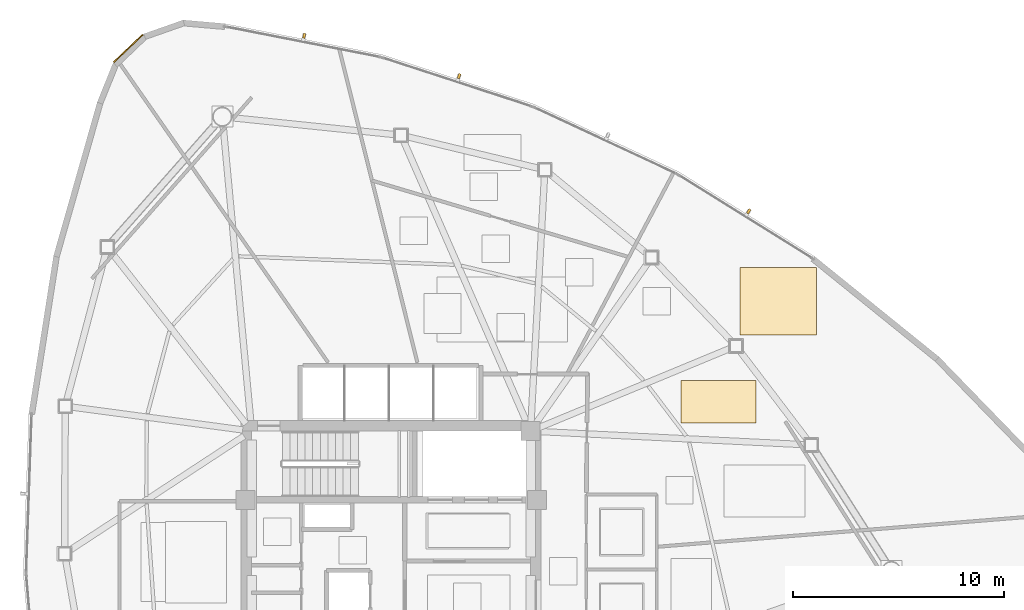
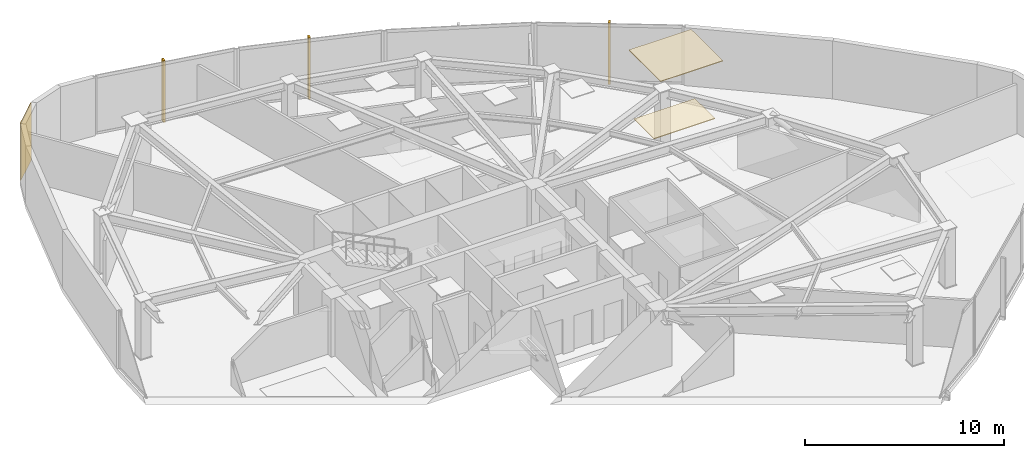
# One storey, part 17 of 17: 3 coverings, 3 shading devices.
"""IFC4 building model written with IfcOpenShell, lengths in metres."""

from ifc_helpers import new_model, si_unit, direction, frame, origin, origin_2d, place, context, subcontext, project, spatial, polyline, rectangle, outline, extrude, source, transform, mapped, material, layer, layer_set, type_object, type_shapes, element, save


model = new_model("IFC4")

# Units and contexts
model_context = context("Model", 3, precision=1e-05, world=origin(), true_north=direction((0.0, 1.0)))
body_context = subcontext(model_context, "Body", "Model", "MODEL_VIEW")
ifc_project = project(units=[si_unit("LENGTHUNIT", "METRE"), si_unit("AREAUNIT", "SQUARE_METRE"), si_unit("VOLUMEUNIT", "CUBIC_METRE"), si_unit("PLANEANGLEUNIT", "RADIAN"), si_unit("MASSUNIT", "GRAM", prefix="KILO")], contexts=[model_context])

# Site, building, storey
site_placement = place(None, origin())
site = spatial("IfcSite", under=ifc_project, at=site_placement, CompositionType="ELEMENT")
building_placement = place(site_placement, origin())
building = spatial("IfcBuilding", under=site, at=building_placement, Name="Tavelor Broadcast Tower", CompositionType="ELEMENT")
storey_placement = place(building_placement, frame((0.0, 0.0, 165.64990234375)))
storey = spatial("IfcBuildingStorey", under=building, at=storey_placement, Name="L39", CompositionType="ELEMENT", Elevation=165.64990234375)

# Coverings
ifc_material_1 = material(Name="Copper-Bronze Anodized Aluminium", Category="aluminium")
ifc_layer_1 = layer(ifc_material_1, 0.050048828125)
ifc_layer_set_1 = layer_set([ifc_layer_1], Name="Copper-Bronze Anodized Aluminium")
covering_type_1 = type_object("IfcCoveringType", Name="Champagne-Bronze Corner Pier Metal Cladding 50 mm", PredefinedType="CLADDING", material=ifc_layer_set_1)
covering_1_placement = place(storey_placement, frame((37.56103515625, 69.31201171875, 0.02001953125), z_axis=(0.0, 0.0, 1.0), x_axis=(-0.723569779188, -0.690251240234, 0.0)))
element("IfcCovering", 1, at=covering_1_placement, inside=storey, type_object=covering_type_1, Name="L39 Champagne-Bronze Corner Cladding 03", PredefinedType="CLADDING", context=body_context, shape_type="SweptSolid", body=[
    extrude(rectangle(XDim=1.889404296875, YDim=0.050048828125, at=origin_2d()), origin(), (0.0, 0.0, 1.0), 3.510009765625),
])
ifc_material_2 = material(Name="Acoustic Mineral Fibre Tile")
ifc_layer_2 = layer(ifc_material_2, 0.0400390625)
ifc_layer_set_2 = layer_set([ifc_layer_2], Name="Acoustic Mineral Fibre Tile")
covering_type_2 = type_object("IfcCoveringType", Name="Suspended Acoustic Mineral-Fibre Office Ceiling 40 mm", PredefinedType="CEILING", material=ifc_layer_set_2)
covering_2_placement = place(storey_placement, frame((0.0, 0.0, 3.510009765625)))
element("IfcCovering", 2, at=covering_2_placement, inside=storey, type_object=covering_type_2, Name="L39 Suspended Acoustic Ceiling 1635", PredefinedType="CEILING", context=body_context, shape_type="SweptSolid", body=[
    extrude(outline(polyline([(66.51708984375, 55.755615234375), (70.126220703125, 55.755615234375), (70.126220703125, 58.933349609375), (66.51708984375, 58.933349609375), (66.51708984375, 55.755615234375)])), origin(), (0.0, 0.0, 1.0), 0.0400390625),
])
covering_3_placement = place(storey_placement, frame((0.0, 0.0, 3.510009765625)))
element("IfcCovering", 3, at=covering_3_placement, inside=storey, type_object=covering_type_2, Name="L39 Suspended Acoustic Ceiling 1636", PredefinedType="CEILING", context=body_context, shape_type="SweptSolid", body=[
    extrude(outline(polyline([(63.724365234375, 51.583740234375), (67.2587890625, 51.583740234375), (67.2587890625, 53.588134765625), (63.724365234375, 53.588134765625), (63.724365234375, 51.583740234375)])), origin(), (0.0, 0.0, 1.0), 0.0400390625),
])

# Shading devices
ifc_material_3 = material(Name="Kiln-Fired Glazed Terracotta", Category="masonry")
shading_device_type = type_object("IfcShadingDeviceType", Name="Extruded Terracotta Baguette Sun-Screen 110x240", PredefinedType="JALOUSIE", material=ifc_material_3)
shared_shape = source(origin(), body_context, "Body", "SweptSolid", [
    extrude(rectangle(XDim=0.110107421875, YDim=0.239990234375, at=origin_2d()), origin(), (0.0, 0.0, 1.0), 3.7900390625),
])
type_shapes(shading_device_type, [shared_shape])
for number, where, z_axis, x_axis, name in (
    (4, (66.92626953125, 61.603515625, -0.260009765625), (0.0, 0.0, 1.0), (-0.848233021205, 0.529623207325, 0.0), "L39 Terracotta Baguette Fin 405"),
    (5, (53.21875, 68.002685546875, -0.260009765625), (0.0, 0.0, 1.0), (-0.950678271124, 0.310178698193, 0.0), "L39 Terracotta Baguette Fin 407"),
    (6, (45.8857421875, 69.91259765625, -0.260009765625), (0.0, 0.0, 1.0), (-0.981225401366, 0.192864490548, 0.0), "L39 Terracotta Baguette Fin 408"),
):
    element("IfcShadingDevice", number, at=place(storey_placement, frame(where, z_axis=z_axis, x_axis=x_axis)), inside=storey, type_object=shading_device_type, Name=name, PredefinedType="JALOUSIE", context=body_context, shape_type="MappedRepresentation", body=[
        mapped(shared_shape, transform((0.0, 0.0, 0.0), scale=1.0)),
    ])

save(model, "model.ifc")
